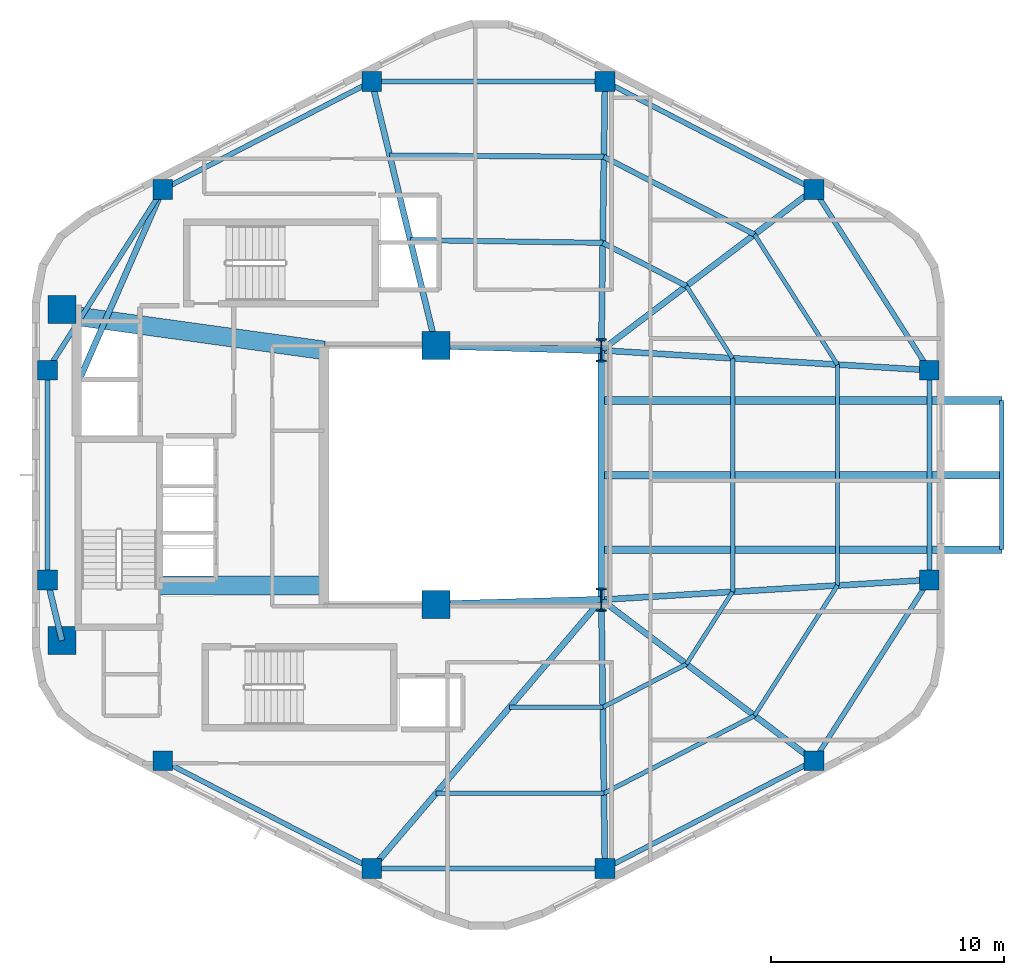
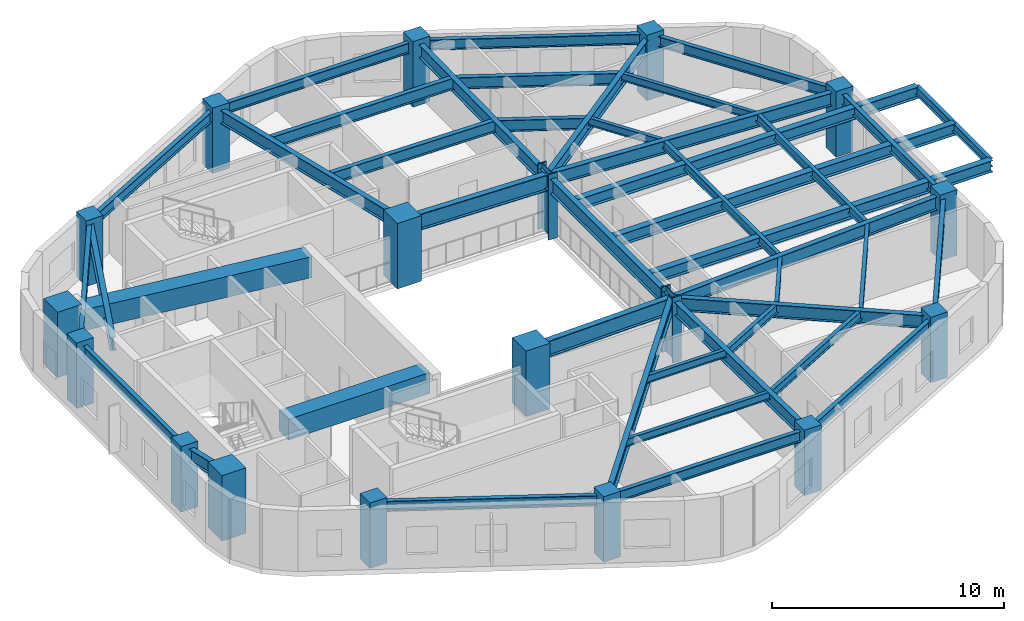
# One storey, part 1 of 6: 44 beams, 18 columns.
"""IFC4 building model written with IfcOpenShell, lengths in metres."""

from ifc_helpers import new_model, si_unit, direction, frame, origin, origin_2d, place, context, subcontext, project, spatial, rectangle, i_section, extrude, material, material_profile, profile_set, type_object, element, save


model = new_model("IFC4")

# Units and contexts
model_context = context("Model", 3, precision=1e-05, world=origin(), true_north=direction((0.0, 1.0)))
body_context = subcontext(model_context, "Body", "Model", "MODEL_VIEW")
ifc_project = project(units=[si_unit("LENGTHUNIT", "METRE"), si_unit("AREAUNIT", "SQUARE_METRE"), si_unit("VOLUMEUNIT", "CUBIC_METRE"), si_unit("PLANEANGLEUNIT", "RADIAN"), si_unit("MASSUNIT", "GRAM", prefix="KILO"), si_unit("THERMODYNAMICTEMPERATUREUNIT", "KELVIN"), si_unit("POWERUNIT", "WATT")], contexts=[model_context])

# Site, building, storey
site_placement = place(None, origin())
site = spatial("IfcSite", under=ifc_project, at=site_placement, CompositionType="ELEMENT")
building_placement = place(site_placement, origin())
building = spatial("IfcBuilding", under=site, at=building_placement, Name="Skarre Station Tower", CompositionType="ELEMENT")
storey_placement = place(building_placement, frame((0.0, 0.0, 210.25)))
storey = spatial("IfcBuildingStorey", under=building, at=storey_placement, Name="L57", CompositionType="ELEMENT", Elevation=210.25)

# Columns
ifc_material_1 = material(Name="Concrete C60/75", Category="concrete")
ifc_material_profile_1 = material_profile(ifc_material_1, rectangle(XDim=1.199951171875, YDim=1.199951171875, at=origin_2d()), Name="Concrete C60/75")
ifc_profile_set_1 = profile_set([ifc_material_profile_1], Name="Concrete C60/75")
column_type_1 = type_object("IfcColumnType", Name="RC Structural Column RC-COL-1200X1200", PredefinedType="COLUMN", material=ifc_profile_set_1)
for number, where, z_axis, x_axis, name in (
    (1, (16.300048828125, 16.89990234375, 0.0), (0.0, 0.0, 1.0), (1.0, 0.0, 0.0), "L57 Core Column CC-SW"),
    (2, (16.300048828125, 31.10009765625, 0.0), (0.0, 0.0, 1.0), (1.0, 0.0, 0.0), "L57 Core Column CC-NW"),
    (3, (32.35009765625, 18.449951171875, 0.0), (0.0, 0.0, 1.0), (1.0, 0.0, 0.0), "L57 Core Column CC-SE"),
    (4, (32.35009765625, 29.550048828125, 0.0), (0.0, 0.0, 1.0), (1.0, 0.0, 0.0), "L57 Core Column CC-NE"),
):
    element("IfcColumn", number, at=place(storey_placement, frame(where, z_axis=z_axis, x_axis=x_axis)), inside=storey, type_object=column_type_1, Name=name, PredefinedType="COLUMN", context=body_context, shape_type="SweptSolid", body=[
        extrude(rectangle(XDim=1.199951171875, YDim=1.199951171875, at=origin_2d()), origin(), (0.0, 0.0, 1.0), 3.449951171875),
    ])
ifc_material_2 = material(Name="Concrete C50/60", Category="concrete")
ifc_material_profile_2 = material_profile(ifc_material_2, rectangle(XDim=0.85009765625, YDim=0.85009765625, at=origin_2d()), Name="Concrete C50/60")
ifc_profile_set_2 = profile_set([ifc_material_profile_2], Name="Concrete C50/60")
column_type_2 = type_object("IfcColumnType", Name="RC Structural Column RC-COL-850X850", PredefinedType="COLUMN", material=ifc_profile_set_2)
for number, where, z_axis, x_axis, name in (
    (5, (48.573974609375, 36.257080078125, 0.0), (0.0, 0.0, 1.0), (1.0, 0.0, 0.0), "L57 Zone 3 Perimeter Column F0C1"),
    (6, (39.60205078125, 40.887939453125, 0.0), (0.0, 0.0, 1.0), (1.0, 0.0, 0.0), "L57 Zone 3 Perimeter Column F0C2"),
    (7, (29.597900390625, 40.887939453125, 0.0), (0.0, 0.0, 1.0), (1.0, 0.0, 0.0), "L57 Zone 3 Perimeter Column F1C1"),
    (8, (20.6259765625, 36.257080078125, 0.0), (0.0, 0.0, 1.0), (1.0, 0.0, 0.0), "L57 Zone 3 Perimeter Column F1C2"),
    (9, (15.677978515625, 28.5009765625, 0.0), (0.0, 0.0, 1.0), (1.0, 0.0, 0.0), "L57 Zone 3 Perimeter Column F2C1"),
    (10, (15.677978515625, 19.4990234375, 0.0), (0.0, 0.0, 1.0), (1.0, 0.0, 0.0), "L57 Zone 3 Perimeter Column F2C2"),
    (11, (20.6259765625, 11.742919921875, 0.0), (0.0, 0.0, 1.0), (1.0, 0.0, 0.0), "L57 Zone 3 Perimeter Column F3C1"),
    (12, (29.597900390625, 7.112060546875, 0.0), (0.0, 0.0, 1.0), (1.0, 0.0, 0.0), "L57 Zone 3 Perimeter Column F3C2"),
    (13, (39.60205078125, 7.112060546875, 0.0), (0.0, 0.0, 1.0), (1.0, 0.0, 0.0), "L57 Zone 3 Perimeter Column F4C1"),
    (14, (48.573974609375, 11.742919921875, 0.0), (0.0, 0.0, 1.0), (1.0, 0.0, 0.0), "L57 Zone 3 Perimeter Column F4C2"),
    (15, (53.52197265625, 19.4990234375, 0.0), (0.0, 0.0, 1.0), (1.0, 0.0, 0.0), "L57 Zone 3 Perimeter Column F5C1"),
    (16, (53.52197265625, 28.5009765625, 0.0), (0.0, 0.0, 1.0), (1.0, 0.0, 0.0), "L57 Zone 3 Perimeter Column F5C2"),
):
    element("IfcColumn", number, at=place(storey_placement, frame(where, z_axis=z_axis, x_axis=x_axis)), inside=storey, type_object=column_type_2, Name=name, PredefinedType="COLUMN", context=body_context, shape_type="SweptSolid", body=[
        extrude(rectangle(XDim=0.85009765625, YDim=0.85009765625, at=origin_2d()), origin(), (0.0, 0.0, 1.0), 3.449951171875),
    ])
ifc_material_3 = material(Name="Steel ASTM A913 Grade 65", Category="steel")
ifc_material_profile_3 = material_profile(ifc_material_3, i_section(OverallWidth=0.430908203125, OverallDepth=0.987060546875, WebThickness=0.033935546875, FlangeThickness=0.06201171875, at=origin_2d()), Name="Steel ASTM A913 Grade 65")
ifc_profile_set_3 = profile_set([ifc_material_profile_3], Name="Steel ASTM A913 Grade 65")
column_type_3 = type_object("IfcColumnType", Name="Steel Column W36X441", PredefinedType="COLUMN", material=ifc_profile_set_3)
for number, where, z_axis, x_axis, name in (
    (17, (39.449951171875, 18.64990234375, 0.0), (0.0, 0.0, 1.0), (1.0, 0.0, 0.0), "L57 Atrium Spine Column AC-SE"),
    (18, (39.449951171875, 29.35009765625, 0.0), (0.0, 0.0, 1.0), (1.0, 0.0, 0.0), "L57 Atrium Spine Column AC-NE"),
):
    element("IfcColumn", number, at=place(storey_placement, frame(where, z_axis=z_axis, x_axis=x_axis)), inside=storey, type_object=column_type_3, Name=name, PredefinedType="COLUMN", context=body_context, shape_type="SweptSolid", body=[
        extrude(i_section(OverallWidth=0.430908203125, OverallDepth=0.987060546875, WebThickness=0.033935546875, FlangeThickness=0.06201171875, at=origin_2d()), origin(), (0.0, 0.0, 1.0), 3.449951171875),
    ])

# Beams
ifc_material_4 = material(Name="Concrete C70/85", Category="concrete")
ifc_material_profile_4 = material_profile(ifc_material_4, rectangle(XDim=0.800048828125, YDim=1.10009765625, at=origin_2d()), Name="Concrete C70/85")
ifc_profile_set_4 = profile_set([ifc_material_profile_4], Name="Concrete C70/85")
beam_type_1 = type_object("IfcBeamType", Name="RC Core Coupling Lintel 800x1100", PredefinedType="LINTEL", material=ifc_profile_set_4)
beam_1_placement = place(storey_placement, frame((20.489990234375, 19.260009765625, 2.639892578125), z_axis=(1.0, 0.0, 0.0), x_axis=(0.0, 1.0, 0.0)))
element("IfcBeam", 19, at=beam_1_placement, inside=storey, type_object=beam_type_1, Name="L57 South Core Coupling Lintel", PredefinedType="LINTEL", context=body_context, shape_type="SweptSolid", body=[
    extrude(rectangle(XDim=0.800048828125, YDim=1.10009765625, at=origin_2d()), origin(), (0.0, 0.0, 1.0), 7.06005859375),
])
beam_2_placement = place(storey_placement, frame((17.050048828125, 30.800048828125, 2.639892578125), z_axis=(0.990599723633, -0.136792498109, 0.0), x_axis=(0.136792498109, 0.990599723633, 0.0)))
element("IfcBeam", 20, at=beam_2_placement, inside=storey, type_object=beam_type_1, Name="L57 North Core Coupling Lintel", PredefinedType="LINTEL", context=body_context, shape_type="SweptSolid", body=[
    extrude(rectangle(XDim=0.800048828125, YDim=1.10009765625, at=origin_2d()), origin(), (0.0, 0.0, 1.0), 10.599609375),
])
ifc_material_5 = material(Name="Steel ASTM A992 Grade 50", Category="steel")
ifc_material_profile_5 = material_profile(ifc_material_5, i_section(OverallWidth=0.323974609375, OverallDepth=0.611083984375, WebThickness=0.012939453125, FlangeThickness=0.01904296875, at=origin_2d()), Name="Steel ASTM A992 Grade 50")
ifc_profile_set_5 = profile_set([ifc_material_profile_5], Name="Steel ASTM A992 Grade 50")
beam_type_2 = type_object("IfcBeamType", Name="Steel Beam W24X104", PredefinedType="BEAM", material=ifc_profile_set_5)
for number, where, z_axis, x_axis, name in (
    (21, (39.449951171875, 24.0, 2.799072265625), (1.0, 0.0, 0.0), (0.0, 1.0, 0.0), "L57 TB-L58-F5 Center Outrigger Beam"),
    (22, (39.449951171875, 20.800048828125, 2.799072265625), (1.0, 0.0, 0.0), (0.0, 1.0, 0.0), "L57 TB-L58-F5 Outrigger Beam 1"),
    (23, (39.449951171875, 27.199951171875, 2.799072265625), (1.0, 0.0, 0.0), (0.0, 1.0, 0.0), "L57 TB-L58-F5 Outrigger Beam 2"),
):
    element("IfcBeam", number, at=place(storey_placement, frame(where, z_axis=z_axis, x_axis=x_axis)), inside=storey, type_object=beam_type_2, Name=name, PredefinedType="BEAM", context=body_context, shape_type="SweptSolid", body=[
        extrude(i_section(OverallWidth=0.323974609375, OverallDepth=0.611083984375, WebThickness=0.012939453125, FlangeThickness=0.01904296875, at=origin_2d()), origin(), (0.0, 0.0, 1.0), 17.18212890625),
    ])
ifc_material_profile_6 = material_profile(ifc_material_5, i_section(OverallWidth=0.256103515625, OverallDepth=0.693115234375, WebThickness=0.013916015625, FlangeThickness=0.02392578125, at=origin_2d()), Name="Steel ASTM A992 Grade 50")
ifc_profile_set_6 = profile_set([ifc_material_profile_6], Name="Steel ASTM A992 Grade 50")
beam_type_3 = type_object("IfcBeamType", Name="Steel Beam W27X114", PredefinedType="BEAM", material=ifc_profile_set_6)
beam_3_placement = place(storey_placement, frame((39.449951171875, 29.35009765625, 2.843994140625), z_axis=(0.797308988117, 0.603571352425, 0.0), x_axis=(-0.603571352425, 0.797308988117, 0.0)))
element("IfcBeam", 24, at=beam_3_placement, inside=storey, type_object=beam_type_3, Name="L57 Radial Floor Girder F0C1", PredefinedType="BEAM", context=body_context, shape_type="SweptSolid", body=[
    extrude(i_section(OverallWidth=0.256103515625, OverallDepth=0.693115234375, WebThickness=0.013916015625, FlangeThickness=0.02392578125, at=origin_2d()), origin(), (0.0, 0.0, 1.0), 11.443603515625),
])
beam_4_placement = place(storey_placement, frame((39.449951171875, 29.35009765625, 2.843994140625), z_axis=(0.013181528887, 0.999913119874, 0.0), x_axis=(-0.999913119874, 0.013181528887, 0.0)))
element("IfcBeam", 25, at=beam_4_placement, inside=storey, type_object=beam_type_3, Name="L57 Radial Floor Girder F0C2", PredefinedType="BEAM", context=body_context, shape_type="SweptSolid", body=[
    extrude(i_section(OverallWidth=0.256103515625, OverallDepth=0.693115234375, WebThickness=0.013916015625, FlangeThickness=0.02392578125, at=origin_2d()), origin(), (0.0, 0.0, 1.0), 11.538818359375),
])
beam_5_placement = place(storey_placement, frame((32.35009765625, 29.550048828125, 2.843994140625), z_axis=(-0.235892880832, 0.971779063765, 0.0), x_axis=(-0.971779063765, -0.235892880832, 0.0)))
element("IfcBeam", 26, at=beam_5_placement, inside=storey, type_object=beam_type_3, Name="L57 Radial Floor Girder F1C1", PredefinedType="BEAM", context=body_context, shape_type="SweptSolid", body=[
    extrude(i_section(OverallWidth=0.256103515625, OverallDepth=0.693115234375, WebThickness=0.013916015625, FlangeThickness=0.02392578125, at=origin_2d()), origin(), (0.0, 0.0, 1.0), 11.667236328125),
])
beam_6_placement = place(storey_placement, frame((17.010009765625, 28.0, 2.843994140625), z_axis=(0.401144174417, 0.916014929644, 0.0), x_axis=(-0.916014929644, 0.401144174417, 0.0)))
element("IfcBeam", 27, at=beam_6_placement, inside=storey, type_object=beam_type_3, Name="L57 Radial Floor Girder F1C2", PredefinedType="BEAM", context=body_context, shape_type="SweptSolid", body=[
    extrude(i_section(OverallWidth=0.256103515625, OverallDepth=0.693115234375, WebThickness=0.013916015625, FlangeThickness=0.02392578125, at=origin_2d()), origin(), (0.0, 0.0, 1.0), 9.01416015625),
])
beam_7_placement = place(storey_placement, frame((16.300048828125, 16.89990234375, 2.843994140625), z_axis=(-0.232764815072, 0.972533053867, 0.0), x_axis=(-0.972533053867, -0.232764815072, 0.0)))
element("IfcBeam", 28, at=beam_7_placement, inside=storey, type_object=beam_type_3, Name="L57 Radial Floor Girder F2C2", PredefinedType="BEAM", context=body_context, shape_type="SweptSolid", body=[
    extrude(i_section(OverallWidth=0.256103515625, OverallDepth=0.693115234375, WebThickness=0.013916015625, FlangeThickness=0.02392578125, at=origin_2d()), origin(), (0.0, 0.0, 1.0), 2.672607421875),
])
beam_8_placement = place(storey_placement, frame((39.449951171875, 18.64990234375, 2.843994140625), z_axis=(-0.649364312169, -0.760477475065, 0.0), x_axis=(0.760477475065, -0.649364312169, 0.0)))
element("IfcBeam", 29, at=beam_8_placement, inside=storey, type_object=beam_type_3, Name="L57 Radial Floor Girder F3C2", PredefinedType="BEAM", context=body_context, shape_type="SweptSolid", body=[
    extrude(i_section(OverallWidth=0.256103515625, OverallDepth=0.693115234375, WebThickness=0.013916015625, FlangeThickness=0.02392578125, at=origin_2d()), origin(), (0.0, 0.0, 1.0), 15.171875),
])
beam_9_placement = place(storey_placement, frame((39.449951171875, 18.64990234375, 2.843994140625), z_axis=(0.013181528887, -0.999913119874, 0.0), x_axis=(0.999913119874, 0.013181528887, 0.0)))
element("IfcBeam", 30, at=beam_9_placement, inside=storey, type_object=beam_type_3, Name="L57 Radial Floor Girder F4C1", PredefinedType="BEAM", context=body_context, shape_type="SweptSolid", body=[
    extrude(i_section(OverallWidth=0.256103515625, OverallDepth=0.693115234375, WebThickness=0.013916015625, FlangeThickness=0.02392578125, at=origin_2d()), origin(), (0.0, 0.0, 1.0), 11.538818359375),
])
beam_10_placement = place(storey_placement, frame((39.449951171875, 18.64990234375, 2.843994140625), z_axis=(0.797308988117, -0.603571352425, 0.0), x_axis=(0.603571352425, 0.797308988117, 0.0)))
element("IfcBeam", 31, at=beam_10_placement, inside=storey, type_object=beam_type_3, Name="L57 Radial Floor Girder F4C2", PredefinedType="BEAM", context=body_context, shape_type="SweptSolid", body=[
    extrude(i_section(OverallWidth=0.256103515625, OverallDepth=0.693115234375, WebThickness=0.013916015625, FlangeThickness=0.02392578125, at=origin_2d()), origin(), (0.0, 0.0, 1.0), 11.443603515625),
])
for number, where, z_axis, x_axis, name in (
    (32, (39.449951171875, 18.64990234375, 2.843994140625), (0.998184432941, 0.060231535207, 0.0), (-0.060231535207, 0.998184432941, 0.0), "L57 Radial Floor Girder F5C1"),
    (33, (39.449951171875, 29.35009765625, 2.843994140625), (0.998184432941, -0.060231535207, 0.0), (0.060231535207, 0.998184432941, 0.0), "L57 Radial Floor Girder F5C2"),
):
    element("IfcBeam", number, at=place(storey_placement, frame(where, z_axis=z_axis, x_axis=x_axis)), inside=storey, type_object=beam_type_3, Name=name, PredefinedType="BEAM", context=body_context, shape_type="SweptSolid", body=[
        extrude(i_section(OverallWidth=0.256103515625, OverallDepth=0.693115234375, WebThickness=0.013916015625, FlangeThickness=0.02392578125, at=origin_2d()), origin(), (0.0, 0.0, 1.0), 14.09765625),
    ])
ifc_material_profile_7 = material_profile(ifc_material_5, i_section(OverallWidth=0.26806640625, OverallDepth=0.77001953125, WebThickness=0.01611328125, FlangeThickness=0.02490234375, at=origin_2d()), Name="Steel ASTM A992 Grade 50")
ifc_profile_set_7 = profile_set([ifc_material_profile_7], Name="Steel ASTM A992 Grade 50")
beam_type_4 = type_object("IfcBeamType", Name="Steel Beam W30X132", PredefinedType="BEAM", material=ifc_profile_set_7)
beam_11_placement = place(storey_placement, frame((39.449951171875, 18.64990234375, 2.804931640625), z_axis=(0.0, 1.0, 0.0), x_axis=(-1.0, 0.0, 0.0)))
element("IfcBeam", 34, at=beam_11_placement, inside=storey, type_object=beam_type_4, Name="L57 Atrium East Edge Girder", PredefinedType="BEAM", context=body_context, shape_type="SweptSolid", body=[
    extrude(i_section(OverallWidth=0.26806640625, OverallDepth=0.77001953125, WebThickness=0.01611328125, FlangeThickness=0.02490234375, at=origin_2d()), origin(), (0.0, 0.0, 1.0), 10.7001953125),
])
ifc_material_profile_8 = material_profile(ifc_material_5, i_section(OverallWidth=0.2919921875, OverallDepth=0.85888671875, WebThickness=0.01708984375, FlangeThickness=0.031005859375, at=origin_2d()), Name="Steel ASTM A992 Grade 50")
ifc_profile_set_8 = profile_set([ifc_material_profile_8], Name="Steel ASTM A992 Grade 50")
beam_type_5 = type_object("IfcBeamType", Name="Steel Beam W33X169", PredefinedType="BEAM", material=ifc_profile_set_8)
for number, where, z_axis, x_axis, name in (
    (35, (32.35009765625, 18.449951171875, 2.760986328125), (0.999603666405, 0.028151556095, 0.0), (-0.028151556095, 0.999603666405, 0.0), "L57 Atrium South Edge Girder"),
    (36, (32.35009765625, 29.550048828125, 2.760986328125), (0.999603666405, -0.028151556095, 0.0), (0.028151556095, 0.999603666405, 0.0), "L57 Atrium North Edge Girder"),
):
    element("IfcBeam", number, at=place(storey_placement, frame(where, z_axis=z_axis, x_axis=x_axis)), inside=storey, type_object=beam_type_5, Name=name, PredefinedType="BEAM", context=body_context, shape_type="SweptSolid", body=[
        extrude(i_section(OverallWidth=0.2919921875, OverallDepth=0.85888671875, WebThickness=0.01708984375, FlangeThickness=0.031005859375, at=origin_2d()), origin(), (0.0, 0.0, 1.0), 7.102783203125),
    ])
ifc_material_profile_9 = material_profile(ifc_material_5, i_section(OverallWidth=0.177978515625, OverallDepth=0.403076171875, WebThickness=0.008056640625, FlangeThickness=0.010986328125, at=origin_2d()), Name="Steel ASTM A992 Grade 50")
ifc_profile_set_9 = profile_set([ifc_material_profile_9], Name="Steel ASTM A992 Grade 50")
beam_type_6 = type_object("IfcBeamType", Name="Steel Joist W16X36", PredefinedType="JOIST", material=ifc_profile_set_9)
beam_12_placement = place(storey_placement, frame((35.509033203125, 14.034912109375, 2.988037109375), z_axis=(1.0, 0.0, 0.0), x_axis=(0.0, 1.0, 0.0)))
element("IfcBeam", 37, at=beam_12_placement, inside=storey, type_object=beam_type_6, Name="L57 Auxiliary Composite Joist 7", PredefinedType="JOIST", context=body_context, shape_type="SweptSolid", body=[
    extrude(i_section(OverallWidth=0.177978515625, OverallDepth=0.403076171875, WebThickness=0.008056640625, FlangeThickness=0.010986328125, at=origin_2d()), origin(), (0.0, 0.0, 1.0), 4.001953125),
])
beam_13_placement = place(storey_placement, frame((32.35693359375, 10.343017578125, 2.988037109375), z_axis=(1.0, 0.0, 0.0), x_axis=(0.0, 1.0, 0.0)))
element("IfcBeam", 38, at=beam_13_placement, inside=storey, type_object=beam_type_6, Name="L57 Auxiliary Composite Joist 8", PredefinedType="JOIST", context=body_context, shape_type="SweptSolid", body=[
    extrude(i_section(OverallWidth=0.177978515625, OverallDepth=0.403076171875, WebThickness=0.008056640625, FlangeThickness=0.010986328125, at=origin_2d()), origin(), (0.0, 0.0, 1.0), 7.2021484375),
])
beam_14_placement = place(storey_placement, frame((43.10009765625, 15.886962890625, 2.988037109375), z_axis=(0.537716516977, 0.843125700812, 0.0), x_axis=(-0.843125700812, 0.537716516977, 0.0)))
element("IfcBeam", 39, at=beam_14_placement, inside=storey, type_object=beam_type_6, Name="L57 Auxiliary Composite Joist 11", PredefinedType="JOIST", context=body_context, shape_type="SweptSolid", body=[
    extrude(i_section(OverallWidth=0.177978515625, OverallDepth=0.403076171875, WebThickness=0.008056640625, FlangeThickness=0.010986328125, at=origin_2d()), origin(), (0.0, 0.0, 1.0), 3.680419921875),
])
beam_15_placement = place(storey_placement, frame((46.01904296875, 13.677001953125, 2.988037109375), z_axis=(0.537900605588, 0.843008267165, 0.0), x_axis=(-0.843008267165, 0.537900605588, 0.0)))
element("IfcBeam", 40, at=beam_15_placement, inside=storey, type_object=beam_type_6, Name="L57 Auxiliary Composite Joist 12", PredefinedType="JOIST", context=body_context, shape_type="SweptSolid", body=[
    extrude(i_section(OverallWidth=0.177978515625, OverallDepth=0.403076171875, WebThickness=0.008056640625, FlangeThickness=0.010986328125, at=origin_2d()), origin(), (0.0, 0.0, 1.0), 6.623779296875),
])
beam_16_placement = place(storey_placement, frame((45.0791015625, 29.010009765625, 2.988037109375), z_axis=(-0.537716516977, 0.843125700812, 0.0), x_axis=(-0.843125700812, -0.537716516977, 0.0)))
element("IfcBeam", 41, at=beam_16_placement, inside=storey, type_object=beam_type_6, Name="L57 Auxiliary Composite Joist 15", PredefinedType="JOIST", context=body_context, shape_type="SweptSolid", body=[
    extrude(i_section(OverallWidth=0.177978515625, OverallDepth=0.403076171875, WebThickness=0.008056640625, FlangeThickness=0.010986328125, at=origin_2d()), origin(), (0.0, 0.0, 1.0), 3.680419921875),
])
beam_17_placement = place(storey_placement, frame((49.58203125, 28.739013671875, 2.988037109375), z_axis=(-0.537900605588, 0.843008267165, 0.0), x_axis=(-0.843008267165, -0.537900605588, 0.0)))
element("IfcBeam", 42, at=beam_17_placement, inside=storey, type_object=beam_type_6, Name="L57 Auxiliary Composite Joist 16", PredefinedType="JOIST", context=body_context, shape_type="SweptSolid", body=[
    extrude(i_section(OverallWidth=0.177978515625, OverallDepth=0.403076171875, WebThickness=0.008056640625, FlangeThickness=0.010986328125, at=origin_2d()), origin(), (0.0, 0.0, 1.0), 6.623779296875),
])
ifc_material_profile_10 = material_profile(ifc_material_5, i_section(OverallWidth=0.19091796875, OverallDepth=0.45703125, WebThickness=0.009033203125, FlangeThickness=0.013916015625, at=origin_2d()), Name="Steel ASTM A992 Grade 50")
ifc_profile_set_10 = profile_set([ifc_material_profile_10], Name="Steel ASTM A992 Grade 50")
beam_type_7 = type_object("IfcBeamType", Name="Steel Joist W18X50", PredefinedType="JOIST", material=ifc_profile_set_10)
beam_18_placement = place(storey_placement, frame((39.510986328125, 14.034912109375, 2.9619140625), z_axis=(0.888660390105, 0.458565928803, 0.0), x_axis=(-0.458565928803, 0.888660390105, 0.0)))
element("IfcBeam", 43, at=beam_18_placement, inside=storey, type_object=beam_type_7, Name="L57 Auxiliary Composite Joist 9", PredefinedType="JOIST", context=body_context, shape_type="SweptSolid", body=[
    extrude(i_section(OverallWidth=0.19091796875, OverallDepth=0.45703125, WebThickness=0.009033203125, FlangeThickness=0.013916015625, at=origin_2d()), origin(), (0.0, 0.0, 1.0), 4.038818359375),
])
beam_19_placement = place(storey_placement, frame((39.55908203125, 10.343017578125, 2.9619140625), z_axis=(0.88863125356, 0.458622388459, 0.0), x_axis=(-0.458622388459, 0.88863125356, 0.0)))
element("IfcBeam", 44, at=beam_19_placement, inside=storey, type_object=beam_type_7, Name="L57 Auxiliary Composite Joist 10", PredefinedType="JOIST", context=body_context, shape_type="SweptSolid", body=[
    extrude(i_section(OverallWidth=0.19091796875, OverallDepth=0.45703125, WebThickness=0.009033203125, FlangeThickness=0.013916015625, at=origin_2d()), origin(), (0.0, 0.0, 1.0), 7.26953125),
])
beam_20_placement = place(storey_placement, frame((45.0791015625, 18.989990234375, 2.9619140625), z_axis=(0.0, 1.0, 0.0), x_axis=(-1.0, 0.0, 0.0)))
element("IfcBeam", 45, at=beam_20_placement, inside=storey, type_object=beam_type_7, Name="L57 Auxiliary Composite Joist 13", PredefinedType="JOIST", context=body_context, shape_type="SweptSolid", body=[
    extrude(i_section(OverallWidth=0.19091796875, OverallDepth=0.45703125, WebThickness=0.009033203125, FlangeThickness=0.013916015625, at=origin_2d()), origin(), (0.0, 0.0, 1.0), 10.02001953125),
])
beam_21_placement = place(storey_placement, frame((49.58203125, 19.260986328125, 2.9619140625), z_axis=(0.0, 1.0, 0.0), x_axis=(-1.0, 0.0, 0.0)))
element("IfcBeam", 46, at=beam_21_placement, inside=storey, type_object=beam_type_7, Name="L57 Auxiliary Composite Joist 14", PredefinedType="JOIST", context=body_context, shape_type="SweptSolid", body=[
    extrude(i_section(OverallWidth=0.19091796875, OverallDepth=0.45703125, WebThickness=0.009033203125, FlangeThickness=0.013916015625, at=origin_2d()), origin(), (0.0, 0.0, 1.0), 9.47802734375),
])
beam_22_placement = place(storey_placement, frame((56.632080078125, 20.800048828125, 2.8759765625), z_axis=(0.0, 1.0, 0.0), x_axis=(-1.0, 0.0, 0.0)))
element("IfcBeam", 47, at=beam_22_placement, inside=storey, type_object=beam_type_7, Name="L57 TB-L58-F5 Rim Beam", PredefinedType="JOIST", context=body_context, shape_type="SweptSolid", body=[
    extrude(i_section(OverallWidth=0.19091796875, OverallDepth=0.45703125, WebThickness=0.009033203125, FlangeThickness=0.013916015625, at=origin_2d()), origin(), (0.0, 0.0, 1.0), 6.39990234375),
])
ifc_material_profile_11 = material_profile(ifc_material_5, i_section(OverallWidth=0.22802734375, OverallDepth=0.60791015625, WebThickness=0.010986328125, FlangeThickness=0.01708984375, at=origin_2d()), Name="Steel ASTM A992 Grade 50")
ifc_profile_set_11 = profile_set([ifc_material_profile_11], Name="Steel ASTM A992 Grade 50")
beam_type_8 = type_object("IfcBeamType", Name="Steel Joist W24X76", PredefinedType="JOIST", material=ifc_profile_set_11)
beam_23_placement = place(storey_placement, frame((43.10009765625, 32.113037109375, 2.885986328125), z_axis=(-0.888660390105, 0.458565928803, 0.0), x_axis=(-0.458565928803, -0.888660390105, 0.0)))
element("IfcBeam", 48, at=beam_23_placement, inside=storey, type_object=beam_type_8, Name="L57 Secondary Floor Joist 1", PredefinedType="JOIST", context=body_context, shape_type="SweptSolid", body=[
    extrude(i_section(OverallWidth=0.22802734375, OverallDepth=0.60791015625, WebThickness=0.010986328125, FlangeThickness=0.01708984375, at=origin_2d()), origin(), (0.0, 0.0, 1.0), 4.038818359375),
])
beam_24_placement = place(storey_placement, frame((46.01904296875, 34.322998046875, 2.885986328125), z_axis=(-0.88863125356, 0.458622388459, 0.0), x_axis=(-0.458622388459, -0.88863125356, 0.0)))
element("IfcBeam", 49, at=beam_24_placement, inside=storey, type_object=beam_type_8, Name="L57 Secondary Floor Joist 2", PredefinedType="JOIST", context=body_context, shape_type="SweptSolid", body=[
    extrude(i_section(OverallWidth=0.22802734375, OverallDepth=0.60791015625, WebThickness=0.010986328125, FlangeThickness=0.01708984375, at=origin_2d()), origin(), (0.0, 0.0, 1.0), 7.26953125),
])
beam_25_placement = place(storey_placement, frame((39.510986328125, 33.965087890625, 2.885986328125), z_axis=(-0.999894760676, 0.014507500591, 0.0), x_axis=(-0.014507500591, -0.999894760676, 0.0)))
element("IfcBeam", 50, at=beam_25_placement, inside=storey, type_object=beam_type_8, Name="L57 Secondary Floor Joist 3", PredefinedType="JOIST", context=body_context, shape_type="SweptSolid", body=[
    extrude(i_section(OverallWidth=0.22802734375, OverallDepth=0.60791015625, WebThickness=0.010986328125, FlangeThickness=0.01708984375, at=origin_2d()), origin(), (0.0, 0.0, 1.0), 8.262939453125),
])
beam_26_placement = place(storey_placement, frame((39.55908203125, 37.656982421875, 2.885986328125), z_axis=(-0.99998149622, 0.006083355807, 0.0), x_axis=(-0.006083355807, -0.99998149622, 0.0)))
element("IfcBeam", 51, at=beam_26_placement, inside=storey, type_object=beam_type_8, Name="L57 Secondary Floor Joist 4", PredefinedType="JOIST", context=body_context, shape_type="SweptSolid", body=[
    extrude(i_section(OverallWidth=0.22802734375, OverallDepth=0.60791015625, WebThickness=0.010986328125, FlangeThickness=0.01708984375, at=origin_2d()), origin(), (0.0, 0.0, 1.0), 9.1904296875),
])
ifc_material_profile_12 = material_profile(ifc_material_5, i_section(OverallWidth=0.214111328125, OverallDepth=0.549072265625, WebThickness=0.014892578125, FlangeThickness=0.02392578125, at=origin_2d()), Name="Steel ASTM A992 Grade 50")
ifc_profile_set_12 = profile_set([ifc_material_profile_12], Name="Steel ASTM A992 Grade 50")
beam_type_9 = type_object("IfcBeamType", Name="Steel Spandrel W21X93", PredefinedType="SPANDREL", material=ifc_profile_set_12)
beam_27_placement = place(storey_placement, frame((48.573974609375, 36.257080078125, 2.916015625), z_axis=(-0.888613027226, 0.458657702262, 0.0), x_axis=(-0.458657702262, -0.888613027226, 0.0)))
element("IfcBeam", 52, at=beam_27_placement, inside=storey, type_object=beam_type_9, Name="L57 Facet Spandrel Beam 1", PredefinedType="SPANDREL", context=body_context, shape_type="SweptSolid", body=[
    extrude(i_section(OverallWidth=0.214111328125, OverallDepth=0.549072265625, WebThickness=0.014892578125, FlangeThickness=0.02392578125, at=origin_2d()), origin(), (0.0, 0.0, 1.0), 10.096435546875),
])
beam_28_placement = place(storey_placement, frame((39.60205078125, 40.887939453125, 2.916015625), z_axis=(-1.0, 0.0, 0.0), x_axis=(0.0, -1.0, 0.0)))
element("IfcBeam", 53, at=beam_28_placement, inside=storey, type_object=beam_type_9, Name="L57 Facet Spandrel Beam 2", PredefinedType="SPANDREL", context=body_context, shape_type="SweptSolid", body=[
    extrude(i_section(OverallWidth=0.214111328125, OverallDepth=0.549072265625, WebThickness=0.014892578125, FlangeThickness=0.02392578125, at=origin_2d()), origin(), (0.0, 0.0, 1.0), 10.004150390625),
])
beam_29_placement = place(storey_placement, frame((29.597900390625, 40.887939453125, 2.916015625), z_axis=(-0.888613027226, -0.458657702262, 0.0), x_axis=(0.458657702262, -0.888613027226, 0.0)))
element("IfcBeam", 54, at=beam_29_placement, inside=storey, type_object=beam_type_9, Name="L57 Facet Spandrel Beam 3", PredefinedType="SPANDREL", context=body_context, shape_type="SweptSolid", body=[
    extrude(i_section(OverallWidth=0.214111328125, OverallDepth=0.549072265625, WebThickness=0.014892578125, FlangeThickness=0.02392578125, at=origin_2d()), origin(), (0.0, 0.0, 1.0), 10.096435546875),
])
beam_30_placement = place(storey_placement, frame((20.6259765625, 36.257080078125, 2.916015625), z_axis=(-0.537826426158, -0.843055594445, 0.0), x_axis=(0.843055594445, -0.537826426158, 0.0)))
element("IfcBeam", 55, at=beam_30_placement, inside=storey, type_object=beam_type_9, Name="L57 Facet Spandrel Beam 4", PredefinedType="SPANDREL", context=body_context, shape_type="SweptSolid", body=[
    extrude(i_section(OverallWidth=0.214111328125, OverallDepth=0.549072265625, WebThickness=0.014892578125, FlangeThickness=0.02392578125, at=origin_2d()), origin(), (0.0, 0.0, 1.0), 9.199951171875),
])
beam_31_placement = place(storey_placement, frame((15.677978515625, 28.5009765625, 2.916015625), z_axis=(0.0, -1.0, 0.0), x_axis=(1.0, 0.0, 0.0)))
element("IfcBeam", 56, at=beam_31_placement, inside=storey, type_object=beam_type_9, Name="L57 Facet Spandrel Beam 5", PredefinedType="SPANDREL", context=body_context, shape_type="SweptSolid", body=[
    extrude(i_section(OverallWidth=0.214111328125, OverallDepth=0.549072265625, WebThickness=0.014892578125, FlangeThickness=0.02392578125, at=origin_2d()), origin(), (0.0, 0.0, 1.0), 9.001953125),
])
beam_32_placement = place(storey_placement, frame((20.6259765625, 11.742919921875, 2.916015625), z_axis=(0.888613027226, -0.458657702262, 0.0), x_axis=(0.458657702262, 0.888613027226, 0.0)))
element("IfcBeam", 57, at=beam_32_placement, inside=storey, type_object=beam_type_9, Name="L57 Facet Spandrel Beam 7", PredefinedType="SPANDREL", context=body_context, shape_type="SweptSolid", body=[
    extrude(i_section(OverallWidth=0.214111328125, OverallDepth=0.549072265625, WebThickness=0.014892578125, FlangeThickness=0.02392578125, at=origin_2d()), origin(), (0.0, 0.0, 1.0), 10.096435546875),
])
beam_33_placement = place(storey_placement, frame((29.597900390625, 7.112060546875, 2.916015625), z_axis=(1.0, 0.0, 0.0), x_axis=(0.0, 1.0, 0.0)))
element("IfcBeam", 58, at=beam_33_placement, inside=storey, type_object=beam_type_9, Name="L57 Facet Spandrel Beam 8", PredefinedType="SPANDREL", context=body_context, shape_type="SweptSolid", body=[
    extrude(i_section(OverallWidth=0.214111328125, OverallDepth=0.549072265625, WebThickness=0.014892578125, FlangeThickness=0.02392578125, at=origin_2d()), origin(), (0.0, 0.0, 1.0), 10.004150390625),
])
beam_34_placement = place(storey_placement, frame((39.60205078125, 7.112060546875, 2.916015625), z_axis=(0.888613027226, 0.458657702262, 0.0), x_axis=(-0.458657702262, 0.888613027226, 0.0)))
element("IfcBeam", 59, at=beam_34_placement, inside=storey, type_object=beam_type_9, Name="L57 Facet Spandrel Beam 9", PredefinedType="SPANDREL", context=body_context, shape_type="SweptSolid", body=[
    extrude(i_section(OverallWidth=0.214111328125, OverallDepth=0.549072265625, WebThickness=0.014892578125, FlangeThickness=0.02392578125, at=origin_2d()), origin(), (0.0, 0.0, 1.0), 10.096435546875),
])
beam_35_placement = place(storey_placement, frame((48.573974609375, 11.742919921875, 2.916015625), z_axis=(0.537826426158, 0.843055594445, 0.0), x_axis=(-0.843055594445, 0.537826426158, 0.0)))
element("IfcBeam", 60, at=beam_35_placement, inside=storey, type_object=beam_type_9, Name="L57 Facet Spandrel Beam 10", PredefinedType="SPANDREL", context=body_context, shape_type="SweptSolid", body=[
    extrude(i_section(OverallWidth=0.214111328125, OverallDepth=0.549072265625, WebThickness=0.014892578125, FlangeThickness=0.02392578125, at=origin_2d()), origin(), (0.0, 0.0, 1.0), 9.199951171875),
])
beam_36_placement = place(storey_placement, frame((53.52197265625, 19.4990234375, 2.916015625), z_axis=(0.0, 1.0, 0.0), x_axis=(-1.0, 0.0, 0.0)))
element("IfcBeam", 61, at=beam_36_placement, inside=storey, type_object=beam_type_9, Name="L57 Facet Spandrel Beam 11", PredefinedType="SPANDREL", context=body_context, shape_type="SweptSolid", body=[
    extrude(i_section(OverallWidth=0.214111328125, OverallDepth=0.549072265625, WebThickness=0.014892578125, FlangeThickness=0.02392578125, at=origin_2d()), origin(), (0.0, 0.0, 1.0), 9.001953125),
])
beam_37_placement = place(storey_placement, frame((53.52197265625, 28.5009765625, 2.916015625), z_axis=(-0.537826426158, 0.843055594445, 0.0), x_axis=(-0.843055594445, -0.537826426158, 0.0)))
element("IfcBeam", 62, at=beam_37_placement, inside=storey, type_object=beam_type_9, Name="L57 Facet Spandrel Beam 12", PredefinedType="SPANDREL", context=body_context, shape_type="SweptSolid", body=[
    extrude(i_section(OverallWidth=0.214111328125, OverallDepth=0.549072265625, WebThickness=0.014892578125, FlangeThickness=0.02392578125, at=origin_2d()), origin(), (0.0, 0.0, 1.0), 9.199951171875),
])

save(model, "model.ifc")
